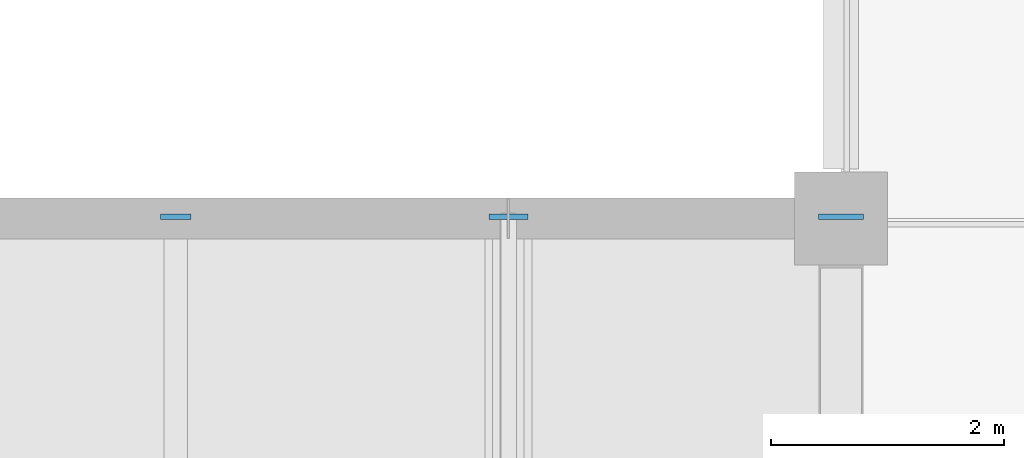
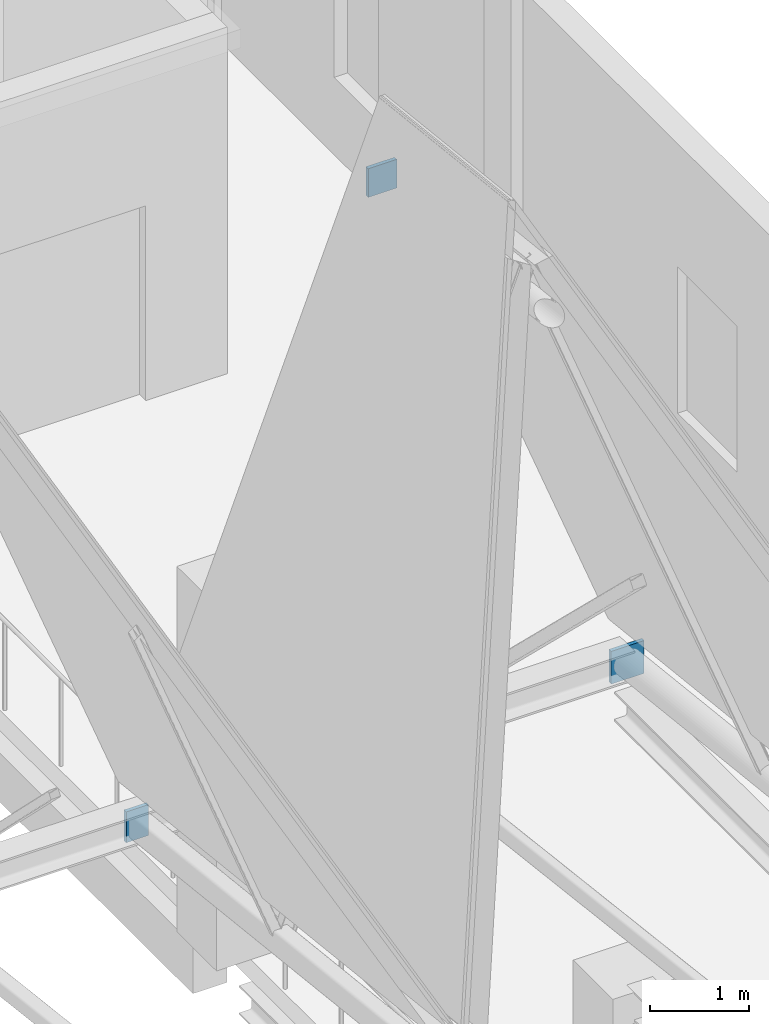
# One storey, part 61 of 77: 3 discrete accessories.
"""IFC4 building model written with IfcOpenShell, lengths in metres."""

from ifc_helpers import new_model, si_unit, direction, frame, origin, origin_2d, place, context, subcontext, project, spatial, rectangle, extrude, material, type_object, element, save


model = new_model("IFC4")

# Units and contexts
model_context = context("Model", 3, precision=1e-05, world=origin(), true_north=direction((0.0, 1.0)))
body_context = subcontext(model_context, "Body", "Model", "MODEL_VIEW")
ifc_project = project(units=[si_unit("LENGTHUNIT", "METRE"), si_unit("AREAUNIT", "SQUARE_METRE"), si_unit("VOLUMEUNIT", "CUBIC_METRE"), si_unit("PLANEANGLEUNIT", "RADIAN"), si_unit("MASSUNIT", "GRAM", prefix="KILO")], contexts=[model_context])

# Site, building, storey
site_placement = place(None, origin())
site = spatial("IfcSite", under=ifc_project, at=site_placement, CompositionType="ELEMENT")
building_placement = place(site_placement, origin())
building = spatial("IfcBuilding", under=site, at=building_placement, Name="Luwemba Playhouse", CompositionType="ELEMENT")
storey_placement = place(building_placement, frame((0.0, 0.0, 9.300048828125)))
storey = spatial("IfcBuildingStorey", under=building, at=storey_placement, Name="L02", CompositionType="ELEMENT", Elevation=9.300048828125)

# Discrete accessories
ifc_material = material(Name="Steel S355", Category="steel")
discrete_accessory_type = type_object("IfcDiscreteAccessoryType", Name="ACC-ENDCAP-S355", PredefinedType="BRACKET", material=ifc_material)
discrete_accessory_1_placement = place(storey_placement, frame((38.28564453125, 68.014892578125, 8.098388671875), z_axis=(0.0, 0.0, 1.0), x_axis=(1.0, 0.0, 0.0)))
element("IfcDiscreteAccessory", 1, at=discrete_accessory_1_placement, inside=storey, type_object=discrete_accessory_type, Name="Welded RHS end cap plate 0052", PredefinedType="BRACKET", context=body_context, shape_type="SweptSolid", body=[
    extrude(rectangle(XDim=0.260009765625, YDim=0.044921875, at=origin_2d()), origin(), (0.0, 0.0, 1.0), 0.3798828125),
])
discrete_accessory_2_placement = place(storey_placement, frame((41.142822265625, 68.014892578125, 15.06298828125), z_axis=(0.0, 0.0, 1.0), x_axis=(1.0, 0.0, 0.0)))
element("IfcDiscreteAccessory", 2, at=discrete_accessory_2_placement, inside=storey, type_object=discrete_accessory_type, Name="Welded RHS end cap plate 0056", PredefinedType="BRACKET", context=body_context, shape_type="SweptSolid", body=[
    extrude(rectangle(XDim=0.3330078125, YDim=0.044921875, at=origin_2d()), origin(), (0.0, 0.0, 1.0), 0.35302734375),
])
discrete_accessory_3_placement = place(storey_placement, frame((44.0, 68.014892578125, 8.07421875), z_axis=(0.0, 0.0, 1.0), x_axis=(1.0, 0.0, 0.0)))
element("IfcDiscreteAccessory", 3, at=discrete_accessory_3_placement, inside=storey, type_object=discrete_accessory_type, Name="Welded RHS end cap plate 0060", PredefinedType="BRACKET", context=body_context, shape_type="SweptSolid", body=[
    extrude(rectangle(XDim=0.384033203125, YDim=0.044921875, at=origin_2d()), origin(), (0.0, 0.0, 1.0), 0.404052734375),
])

save(model, "model.ifc")
